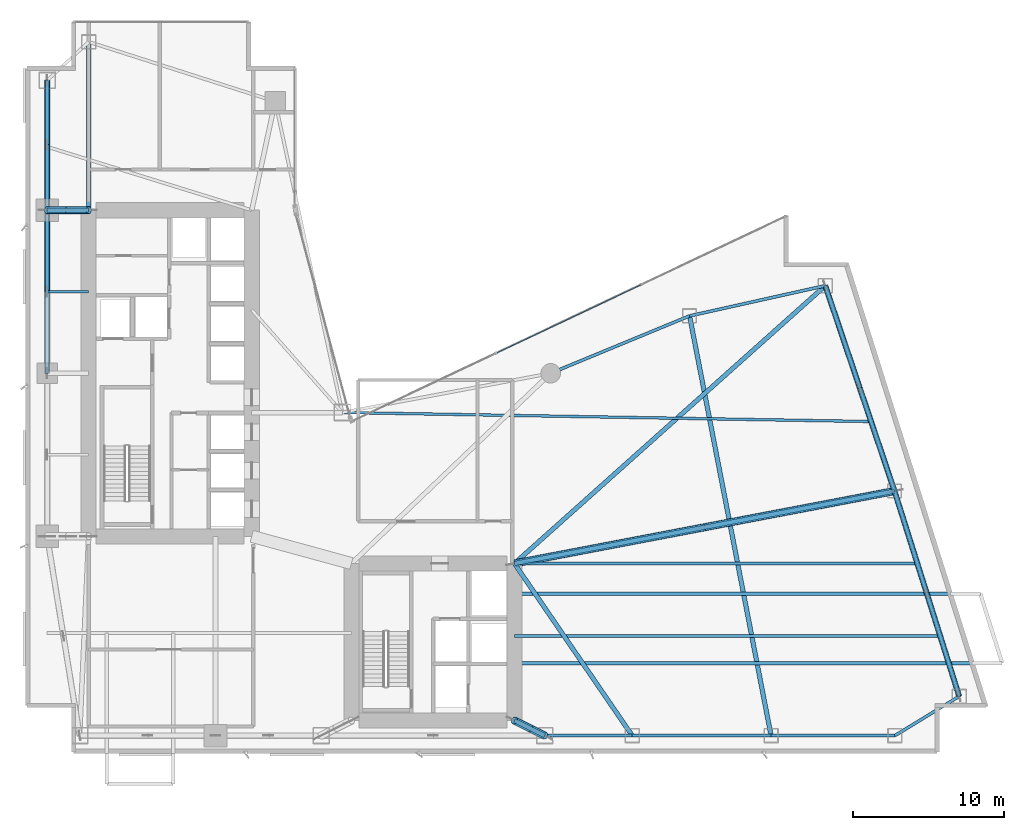
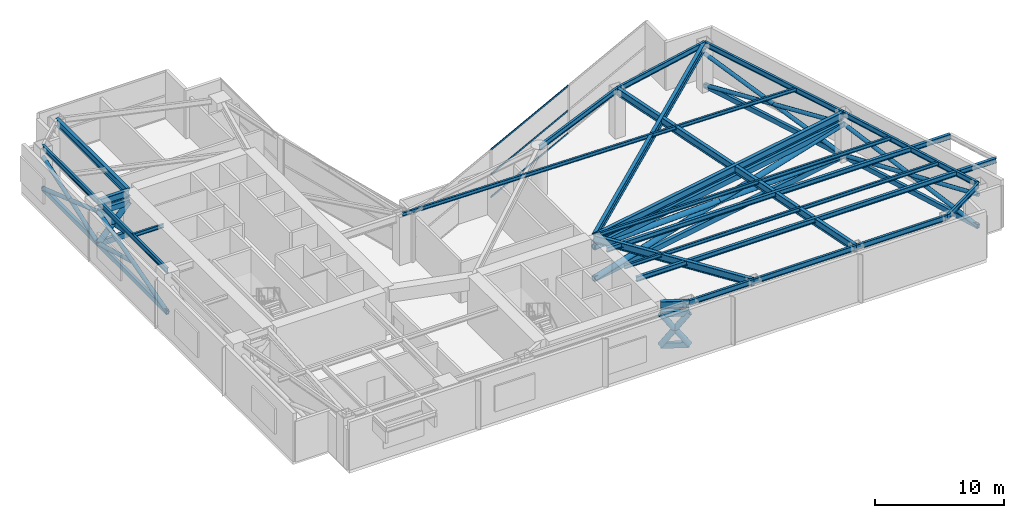
# One storey, part 4 of 18: 33 members, 23 beams, 1 element without a shape of its own.
"""IFC4 building model written with IfcOpenShell, lengths in metres."""

from ifc_helpers import new_model, si_unit, direction, frame, origin, origin_2d, place, context, subcontext, project, spatial, hollow_rectangle, hollow_circle, i_section, extrude, material, layer, layer_set, material_profile, profile_set, type_object, element, aggregate, save


model = new_model("IFC4")

# Units and contexts
model_context = context("Model", 3, precision=1e-05, world=origin(), true_north=direction((0.0, 1.0)))
body_context = subcontext(model_context, "Body", "Model", "MODEL_VIEW")
ifc_project = project(units=[si_unit("LENGTHUNIT", "METRE"), si_unit("AREAUNIT", "SQUARE_METRE"), si_unit("VOLUMEUNIT", "CUBIC_METRE"), si_unit("PLANEANGLEUNIT", "RADIAN"), si_unit("MASSUNIT", "GRAM", prefix="KILO")], contexts=[model_context])

# Site, building, storey
site_placement = place(None, origin())
site = spatial("IfcSite", under=ifc_project, at=site_placement, CompositionType="ELEMENT")
building_placement = place(site_placement, origin())
building = spatial("IfcBuilding", under=site, at=building_placement, Name="Calvorn Quay Hotel", CompositionType="ELEMENT")
storey_placement = place(building_placement, frame((0.0, 0.0, 46.0)))
storey = spatial("IfcBuildingStorey", under=building, at=storey_placement, Name="L10", CompositionType="ELEMENT", Elevation=46.0)

# Beams
ifc_material_1 = material(Name="Steel Q355B", Category="steel")
ifc_material_profile_1 = material_profile(ifc_material_1, i_section(OverallWidth=0.25, OverallDepth=0.449951171875, WebThickness=0.011962890625, FlangeThickness=0.01611328125, FilletRadius=0.01611328125, at=origin_2d()), Name="HN450x250x12x16")
ifc_profile_set_1 = profile_set([ifc_material_profile_1], Name="Steel Q355B")
beam_type_1 = type_object("IfcBeamType", Name="BM-CANT-BALC", PredefinedType="BEAM", material=ifc_profile_set_1)
beam_1_placement = place(storey_placement, frame((32.39990234375, 8.39990234375, 4.31494140625), z_axis=(1.0, 0.0, 0.0), x_axis=(0.0, 1.0, 0.0)))
element("IfcBeam", 1, at=beam_1_placement, inside=storey, type_object=beam_type_1, Name="Cantilever Balcony Beam BCB-L11-1A", PredefinedType="BEAM", context=body_context, shape_type="SweptSolid", body=[
    extrude(i_section(OverallWidth=0.25, OverallDepth=0.449951171875, WebThickness=0.011962890625, FlangeThickness=0.01611328125, FilletRadius=0.01611328125, at=origin_2d()), origin(), (0.0, 0.0, 1.0), 32.30810546875),
])
beam_2_placement = place(storey_placement, frame((32.39990234375, 13.0, 4.31494140625), z_axis=(1.0, 0.0, 0.0), x_axis=(0.0, 1.0, 0.0)))
element("IfcBeam", 2, at=beam_2_placement, inside=storey, type_object=beam_type_1, Name="Cantilever Balcony Beam BCB-L11-1B", PredefinedType="BEAM", context=body_context, shape_type="SweptSolid", body=[
    extrude(i_section(OverallWidth=0.25, OverallDepth=0.449951171875, WebThickness=0.011962890625, FlangeThickness=0.01611328125, FilletRadius=0.01611328125, at=origin_2d()), origin(), (0.0, 0.0, 1.0), 30.858154296875),
])
ifc_material_2 = material(Name="Steel Q390GJC", Category="steel")
ifc_material_profile_2 = material_profile(ifc_material_2, i_section(OverallWidth=0.300048828125, OverallDepth=0.699951171875, WebThickness=0.012939453125, FlangeThickness=0.02392578125, FilletRadius=0.02392578125, at=origin_2d()), Name="HN700x300x13x24")
ifc_profile_set_2 = profile_set([ifc_material_profile_2], Name="Steel Q390GJC")
beam_type_2 = type_object("IfcBeamType", Name="BM-GIRD-MAIN", PredefinedType="BEAM", material=ifc_profile_set_2)
beam_3_placement = place(storey_placement, frame((1.449951171875, 38.39990234375, 4.18994140625), z_axis=(1.0, 0.0, 0.0), x_axis=(0.0, 1.0, 0.0)))
element("IfcBeam", 3, at=beam_3_placement, inside=storey, type_object=beam_type_2, Name="Beam BG-L10-W3", PredefinedType="BEAM", context=body_context, shape_type="SweptSolid", body=[
    extrude(i_section(OverallWidth=0.300048828125, OverallDepth=0.699951171875, WebThickness=0.012939453125, FlangeThickness=0.02392578125, FilletRadius=0.02392578125, at=origin_2d()), origin(), (0.0, 0.0, 1.0), 2.75),
])
beam_4_placement = place(storey_placement, frame((4.199951171875, 49.550048828125, 4.18994140625), z_axis=(0.0, -1.0, 0.0), x_axis=(1.0, 0.0, 0.0)))
element("IfcBeam", 4, at=beam_4_placement, inside=storey, type_object=beam_type_2, Name="Beam BG-L10-W5", PredefinedType="BEAM", context=body_context, shape_type="SweptSolid", body=[
    extrude(i_section(OverallWidth=0.300048828125, OverallDepth=0.699951171875, WebThickness=0.012939453125, FlangeThickness=0.02392578125, FilletRadius=0.02392578125, at=origin_2d()), origin(), (0.0, 0.0, 1.0), 11.150146484375),
])
beam_5_placement = place(storey_placement, frame((34.39990234375, 3.60009765625, 4.18994140625), z_axis=(-0.894427191, 0.4472135955, 0.0), x_axis=(-0.4472135955, -0.894427191, 0.0)))
element("IfcBeam", 5, at=beam_5_placement, inside=storey, type_object=beam_type_2, Name="Beam BG-L10-S3", PredefinedType="BEAM", context=body_context, shape_type="SweptSolid", body=[
    extrude(i_section(OverallWidth=0.300048828125, OverallDepth=0.699951171875, WebThickness=0.012939453125, FlangeThickness=0.02392578125, FilletRadius=0.02392578125, at=origin_2d()), origin(), (0.0, 0.0, 1.0), 2.236083984375),
])
beam_6_placement = place(storey_placement, frame((32.39990234375, 15.0, 4.18994140625), z_axis=(0.982305450614, 0.18728588226, 0.0), x_axis=(-0.18728588226, 0.982305450614, 0.0)))
element("IfcBeam", 6, at=beam_6_placement, inside=storey, type_object=beam_type_2, Name="Beam BG-L10-E2", PredefinedType="BEAM", context=body_context, shape_type="SweptSolid", body=[
    extrude(i_section(OverallWidth=0.300048828125, OverallDepth=0.699951171875, WebThickness=0.012939453125, FlangeThickness=0.02392578125, FilletRadius=0.02392578125, at=origin_2d()), origin(), (0.0, 0.0, 1.0), 25.629638671875),
])
beam_7_placement = place(storey_placement, frame((32.39990234375, 15.0, 4.18994140625), z_axis=(0.745667316004, 0.666318432766, 0.0), x_axis=(-0.666318432766, 0.745667316004, 0.0)))
element("IfcBeam", 7, at=beam_7_placement, inside=storey, type_object=beam_type_2, Name="Beam BG-L10-E3", PredefinedType="BEAM", context=body_context, shape_type="SweptSolid", body=[
    extrude(i_section(OverallWidth=0.300048828125, OverallDepth=0.699951171875, WebThickness=0.012939453125, FlangeThickness=0.02392578125, FilletRadius=0.02392578125, at=origin_2d()), origin(), (0.0, 0.0, 1.0), 27.6142578125),
])
beam_8_placement = place(storey_placement, frame((49.39990234375, 3.60009765625, 4.18994140625), z_axis=(-0.190678596862, 0.981652521363, 0.0), x_axis=(-0.981652521363, -0.190678596862, 0.0)))
element("IfcBeam", 8, at=beam_8_placement, inside=storey, type_object=beam_type_2, Name="Beam BG-L10-E5", PredefinedType="BEAM", context=body_context, shape_type="SweptSolid", body=[
    extrude(i_section(OverallWidth=0.300048828125, OverallDepth=0.699951171875, WebThickness=0.012939453125, FlangeThickness=0.02392578125, FilletRadius=0.02392578125, at=origin_2d()), origin(), (0.0, 0.0, 1.0), 28.3193359375),
])
beam_9_placement = place(storey_placement, frame((40.199951171875, 3.60009765625, 4.18994140625), z_axis=(-0.564689618177, 0.825303359452, 0.0), x_axis=(-0.825303359452, -0.564689618177, 0.0)))
element("IfcBeam", 9, at=beam_9_placement, inside=storey, type_object=beam_type_2, Name="Beam BG-L10-E6", PredefinedType="BEAM", context=body_context, shape_type="SweptSolid", body=[
    extrude(i_section(OverallWidth=0.300048828125, OverallDepth=0.699951171875, WebThickness=0.012939453125, FlangeThickness=0.02392578125, FilletRadius=0.02392578125, at=origin_2d()), origin(), (0.0, 0.0, 1.0), 13.81298828125),
])
ifc_material_3 = material(Name="Steel Q355B", Category="steel")
ifc_material_profile_3 = material_profile(ifc_material_3, i_section(OverallWidth=0.175048828125, OverallDepth=0.35009765625, WebThickness=0.007080078125, FlangeThickness=0.010986328125, FilletRadius=0.013916015625, at=origin_2d()), Name="HN350x175x7x11")
ifc_profile_set_3 = profile_set([ifc_material_profile_3], Name="Steel Q355B")
beam_type_3 = type_object("IfcBeamType", Name="BM-JOIST-SEC", PredefinedType="JOIST", material=ifc_profile_set_3)
beam_10_placement = place(storey_placement, frame((1.449951171875, 33.0, 4.364990234375), z_axis=(1.0, 0.0, 0.0), x_axis=(0.0, 1.0, 0.0)))
element("IfcBeam", 10, at=beam_10_placement, inside=storey, type_object=beam_type_3, Name="Beam BJ-L10-W4", PredefinedType="JOIST", context=body_context, shape_type="SweptSolid", body=[
    extrude(i_section(OverallWidth=0.175048828125, OverallDepth=0.35009765625, WebThickness=0.007080078125, FlangeThickness=0.010986328125, FilletRadius=0.013916015625, at=origin_2d()), origin(), (0.0, 0.0, 1.0), 2.75),
])
beam_11_placement = place(storey_placement, frame((32.39990234375, 10.199951171875, 4.364990234375), z_axis=(1.0, 0.0, 0.0), x_axis=(0.0, 1.0, 0.0)))
element("IfcBeam", 11, at=beam_11_placement, inside=storey, type_object=beam_type_3, Name="Beam BJ-L10-E1", PredefinedType="JOIST", context=body_context, shape_type="SweptSolid", body=[
    extrude(i_section(OverallWidth=0.175048828125, OverallDepth=0.35009765625, WebThickness=0.007080078125, FlangeThickness=0.010986328125, FilletRadius=0.013916015625, at=origin_2d()), origin(), (0.0, 0.0, 1.0), 28.201171875),
])
beam_12_placement = place(storey_placement, frame((32.39990234375, 15.0, 4.364990234375), z_axis=(1.0, 0.0, 0.0), x_axis=(0.0, 1.0, 0.0)))
element("IfcBeam", 12, at=beam_12_placement, inside=storey, type_object=beam_type_3, Name="Beam BJ-L10-E2", PredefinedType="JOIST", context=body_context, shape_type="SweptSolid", body=[
    extrude(i_section(OverallWidth=0.175048828125, OverallDepth=0.35009765625, WebThickness=0.007080078125, FlangeThickness=0.010986328125, FilletRadius=0.013916015625, at=origin_2d()), origin(), (0.0, 0.0, 1.0), 26.68798828125),
])
beam_13_placement = place(storey_placement, frame((21.0, 25.0, 4.364990234375), z_axis=(0.999854105858, -0.017081188436, 0.0), x_axis=(0.017081188436, 0.999854105858, 0.0)))
element("IfcBeam", 13, at=beam_13_placement, inside=storey, type_object=beam_type_3, Name="Beam BJ-L10-E3", PredefinedType="JOIST", context=body_context, shape_type="SweptSolid", body=[
    extrude(i_section(OverallWidth=0.175048828125, OverallDepth=0.35009765625, WebThickness=0.007080078125, FlangeThickness=0.010986328125, FilletRadius=0.013916015625, at=origin_2d()), origin(), (0.0, 0.0, 1.0), 35.132080078125),
])
ifc_material_4 = material(Name="Steel Q355B", Category="steel")
ifc_material_profile_4 = material_profile(ifc_material_4, i_section(OverallWidth=0.199951171875, OverallDepth=0.5, WebThickness=0.010009765625, FlangeThickness=0.01611328125, FilletRadius=0.01611328125, at=origin_2d()), Name="HN500x200x10x16")
ifc_profile_set_4 = profile_set([ifc_material_profile_4], Name="Steel Q355B")
beam_type_4 = type_object("IfcBeamType", Name="BM-SPANDREL-Z1", PredefinedType="SPANDREL", material=ifc_profile_set_4)
beam_14_placement = place(storey_placement, frame((1.449951171875, 27.60009765625, 4.2900390625), z_axis=(0.0, 1.0, 0.0), x_axis=(-1.0, 0.0, 0.0)))
element("IfcBeam", 14, at=beam_14_placement, inside=storey, type_object=beam_type_4, Name="Beam BSP-L10-W3", PredefinedType="SPANDREL", context=body_context, shape_type="SweptSolid", body=[
    extrude(i_section(OverallWidth=0.199951171875, OverallDepth=0.5, WebThickness=0.010009765625, FlangeThickness=0.01611328125, FilletRadius=0.01611328125, at=origin_2d()), origin(), (0.0, 0.0, 1.0), 10.7998046875),
])
beam_15_placement = place(storey_placement, frame((1.449951171875, 38.39990234375, 4.2900390625), z_axis=(0.0, 1.0, 0.0), x_axis=(-1.0, 0.0, 0.0)))
element("IfcBeam", 15, at=beam_15_placement, inside=storey, type_object=beam_type_4, Name="Beam BSP-L10-W4", PredefinedType="SPANDREL", context=body_context, shape_type="SweptSolid", body=[
    extrude(i_section(OverallWidth=0.199951171875, OverallDepth=0.5, WebThickness=0.010009765625, FlangeThickness=0.01611328125, FilletRadius=0.01611328125, at=origin_2d()), origin(), (0.0, 0.0, 1.0), 8.60009765625),
])
beam_16_placement = place(storey_placement, frame((34.39990234375, 3.60009765625, 4.2900390625), z_axis=(1.0, 0.0, 0.0), x_axis=(0.0, 1.0, 0.0)))
element("IfcBeam", 16, at=beam_16_placement, inside=storey, type_object=beam_type_4, Name="Beam BSP-L10-S4", PredefinedType="SPANDREL", context=body_context, shape_type="SweptSolid", body=[
    extrude(i_section(OverallWidth=0.199951171875, OverallDepth=0.5, WebThickness=0.010009765625, FlangeThickness=0.01611328125, FilletRadius=0.01611328125, at=origin_2d()), origin(), (0.0, 0.0, 1.0), 5.800048828125),
])
beam_17_placement = place(storey_placement, frame((40.199951171875, 3.60009765625, 4.2900390625), z_axis=(1.0, 0.0, 0.0), x_axis=(0.0, 1.0, 0.0)))
element("IfcBeam", 17, at=beam_17_placement, inside=storey, type_object=beam_type_4, Name="Beam BSP-L10-S5", PredefinedType="SPANDREL", context=body_context, shape_type="SweptSolid", body=[
    extrude(i_section(OverallWidth=0.199951171875, OverallDepth=0.5, WebThickness=0.010009765625, FlangeThickness=0.01611328125, FilletRadius=0.01611328125, at=origin_2d()), origin(), (0.0, 0.0, 1.0), 9.199951171875),
])
beam_18_placement = place(storey_placement, frame((49.39990234375, 3.60009765625, 4.2900390625), z_axis=(1.0, 0.0, 0.0), x_axis=(0.0, 1.0, 0.0)))
element("IfcBeam", 18, at=beam_18_placement, inside=storey, type_object=beam_type_4, Name="Beam BSP-L10-S6", PredefinedType="SPANDREL", context=body_context, shape_type="SweptSolid", body=[
    extrude(i_section(OverallWidth=0.199951171875, OverallDepth=0.5, WebThickness=0.010009765625, FlangeThickness=0.01611328125, FilletRadius=0.01611328125, at=origin_2d()), origin(), (0.0, 0.0, 1.0), 8.2001953125),
])
beam_19_placement = place(storey_placement, frame((57.60009765625, 3.60009765625, 4.2900390625), z_axis=(0.853645546466, 0.520854376, 0.0), x_axis=(-0.520854376, 0.853645546466, 0.0)))
element("IfcBeam", 19, at=beam_19_placement, inside=storey, type_object=beam_type_4, Name="Beam BSP-L10-S7", PredefinedType="SPANDREL", context=body_context, shape_type="SweptSolid", body=[
    extrude(i_section(OverallWidth=0.199951171875, OverallDepth=0.5, WebThickness=0.010009765625, FlangeThickness=0.01611328125, FilletRadius=0.01611328125, at=origin_2d()), origin(), (0.0, 0.0, 1.0), 4.991455078125),
])
beam_20_placement = place(storey_placement, frame((61.861083984375, 6.199951171875, 4.2900390625), z_axis=(-0.300518378216, 0.953776024208, 0.0), x_axis=(-0.953776024208, -0.300518378216, 0.0)))
element("IfcBeam", 20, at=beam_20_placement, inside=storey, type_object=beam_type_4, Name="Beam BSP-L10-E1", PredefinedType="SPANDREL", context=body_context, shape_type="SweptSolid", body=[
    extrude(i_section(OverallWidth=0.199951171875, OverallDepth=0.5, WebThickness=0.010009765625, FlangeThickness=0.01611328125, FilletRadius=0.01611328125, at=origin_2d()), origin(), (0.0, 0.0, 1.0), 14.25927734375),
])
beam_21_placement = place(storey_placement, frame((57.575927734375, 19.800048828125, 4.2900390625), z_axis=(-0.319466515944, 0.947597564998, 0.0), x_axis=(-0.947597564998, -0.319466515944, 0.0)))
element("IfcBeam", 21, at=beam_21_placement, inside=storey, type_object=beam_type_4, Name="Beam BSP-L10-E2", PredefinedType="SPANDREL", context=body_context, shape_type="SweptSolid", body=[
    extrude(i_section(OverallWidth=0.199951171875, OverallDepth=0.5, WebThickness=0.010009765625, FlangeThickness=0.01611328125, FilletRadius=0.01611328125, at=origin_2d()), origin(), (0.0, 0.0, 1.0), 14.35205078125),
])
beam_22_placement = place(storey_placement, frame((52.990966796875, 33.39990234375, 4.2900390625), z_axis=(-0.976140886259, -0.217138136156, 0.0), x_axis=(0.217138136156, -0.976140886259, 0.0)))
element("IfcBeam", 22, at=beam_22_placement, inside=storey, type_object=beam_type_4, Name="Beam BSP-L10-E3", PredefinedType="SPANDREL", context=body_context, shape_type="SweptSolid", body=[
    extrude(i_section(OverallWidth=0.199951171875, OverallDepth=0.5, WebThickness=0.010009765625, FlangeThickness=0.01611328125, FilletRadius=0.01611328125, at=origin_2d()), origin(), (0.0, 0.0, 1.0), 9.210693359375),
])
beam_23_placement = place(storey_placement, frame((44.0, 31.39990234375, 4.2900390625), z_axis=(-0.92426763497, -0.381745123017, 0.0), x_axis=(0.381745123017, -0.92426763497, 0.0)))
element("IfcBeam", 23, at=beam_23_placement, inside=storey, type_object=beam_type_4, Name="Beam BSP-L10-E4", PredefinedType="SPANDREL", context=body_context, shape_type="SweptSolid", body=[
    extrude(i_section(OverallWidth=0.199951171875, OverallDepth=0.5, WebThickness=0.010009765625, FlangeThickness=0.01611328125, FilletRadius=0.01611328125, at=origin_2d()), origin(), (0.0, 0.0, 1.0), 9.953857421875),
])

# Curtain wall, members
ifc_material_5 = material(Name="Pale Anodised Aluminium and Low-E Glass", Category="aluminium")
ifc_layer = layer(ifc_material_5, 0.219970703125)
ifc_layer_set = layer_set([ifc_layer], Name="CW-SYS-Z1")
curtain_wall_type = type_object("IfcCurtainWallType", Name="CW-SYS-Z1", PredefinedType="NOTDEFINED", material=ifc_layer_set)
curtain_wall_placement = place(storey_placement, origin())
curtain_wall = element("IfcCurtainWall", 24, at=curtain_wall_placement, inside=storey, type_object=curtain_wall_type, Name="Inner Court Curtain Wall L10-NE1", PredefinedType="NOTDEFINED")
ifc_material_6 = material(Name="Pale Anodised Aluminium 6063-T6", Category="aluminium")
ifc_material_profile_5 = material_profile(ifc_material_6, hollow_rectangle(XDim=0.06494140625, YDim=0.1650390625, WallThickness=0.00341796875, at=origin_2d()), Name="ALU-T165x65x3.5")
ifc_profile_set_5 = profile_set([ifc_material_profile_5], Name="Pale Anodised Aluminium 6063-T6")
member_type_1 = type_object("IfcMemberType", Name="CW-SYS-Z1-TRN", PredefinedType="USERDEFINED", material=ifc_profile_set_5)
member_1_placement = place(storey_placement, frame((40.77294921875, 33.453857421875, 0.030029296875), z_axis=(-0.904247654564, -0.427008406493, 0.0), x_axis=(0.427008406493, -0.904247654564, 0.0)))
member_1 = element("IfcMember", 25, at=member_1_placement, type_object=member_type_1, Name="CW-L10-NE1 transom 2.1", ObjectType="TRANSOM", PredefinedType="USERDEFINED", context=body_context, shape_type="SweptSolid", body=[
    extrude(hollow_rectangle(XDim=0.06494140625, YDim=0.1650390625, WallThickness=0.00341796875, at=origin_2d()), origin(), (0.0, 0.0, 1.0), 10.556640625),
])
member_2_placement = place(storey_placement, frame((40.77294921875, 33.453857421875, 2.199951171875), z_axis=(-0.904247654564, -0.427008406493, 0.0), x_axis=(0.427008406493, -0.904247654564, 0.0)))
member_2 = element("IfcMember", 26, at=member_2_placement, type_object=member_type_1, Name="CW-L10-NE1 transom 2.2", ObjectType="TRANSOM", PredefinedType="USERDEFINED", context=body_context, shape_type="SweptSolid", body=[
    extrude(hollow_rectangle(XDim=0.06494140625, YDim=0.1650390625, WallThickness=0.00341796875, at=origin_2d()), origin(), (0.0, 0.0, 1.0), 10.556640625),
])
member_3_placement = place(storey_placement, frame((40.77294921875, 33.453857421875, 4.530029296875), z_axis=(-0.904247654564, -0.427008406493, 0.0), x_axis=(0.427008406493, -0.904247654564, 0.0)))
member_3 = element("IfcMember", 27, at=member_3_placement, type_object=member_type_1, Name="CW-L10-NE1 transom 2.3", ObjectType="TRANSOM", PredefinedType="USERDEFINED", context=body_context, shape_type="SweptSolid", body=[
    extrude(hollow_rectangle(XDim=0.06494140625, YDim=0.1650390625, WallThickness=0.00341796875, at=origin_2d()), origin(), (0.0, 0.0, 1.0), 10.556640625),
])
aggregate(curtain_wall, [member_1, member_2, member_3])

# Members
ifc_material_7 = material(Name="Steel Q390GJC", Category="steel")
ifc_material_profile_6 = material_profile(ifc_material_7, hollow_rectangle(XDim=0.25, YDim=0.449951171875, WallThickness=0.01611328125, at=origin_2d()), Name="RHS450x250x16")
ifc_profile_set_6 = profile_set([ifc_material_profile_6], Name="Steel Q390GJC")
member_type_2 = type_object("IfcMemberType", Name="MEM-BELT-CHORD", PredefinedType="CHORD", material=ifc_profile_set_6)
member_4_placement = place(storey_placement, frame((1.449951171875, 27.60009765625, 0.35009765625), z_axis=(0.0, 1.0, 0.0), x_axis=(-1.0, 0.0, 0.0)))
element("IfcMember", 28, at=member_4_placement, inside=storey, type_object=member_type_2, Name="Belt Truss Chord L10-BW3", PredefinedType="CHORD", context=body_context, shape_type="SweptSolid", body=[
    extrude(hollow_rectangle(XDim=0.25, YDim=0.449951171875, WallThickness=0.01611328125, at=origin_2d()), origin(), (0.0, 0.0, 1.0), 10.7998046875),
])
member_5_placement = place(storey_placement, frame((1.449951171875, 38.39990234375, 0.35009765625), z_axis=(0.0, 1.0, 0.0), x_axis=(-1.0, 0.0, 0.0)))
element("IfcMember", 29, at=member_5_placement, inside=storey, type_object=member_type_2, Name="Belt Truss Chord L10-BW4", PredefinedType="CHORD", context=body_context, shape_type="SweptSolid", body=[
    extrude(hollow_rectangle(XDim=0.25, YDim=0.449951171875, WallThickness=0.01611328125, at=origin_2d()), origin(), (0.0, 0.0, 1.0), 8.60009765625),
])
member_6_placement = place(storey_placement, frame((61.861083984375, 6.199951171875, 0.35009765625), z_axis=(-0.300518378216, 0.953776024208, 0.0), x_axis=(-0.953776024208, -0.300518378216, 0.0)))
element("IfcMember", 30, at=member_6_placement, inside=storey, type_object=member_type_2, Name="Belt Truss Chord L10-BE1", PredefinedType="CHORD", context=body_context, shape_type="SweptSolid", body=[
    extrude(hollow_rectangle(XDim=0.25, YDim=0.449951171875, WallThickness=0.01611328125, at=origin_2d()), origin(), (0.0, 0.0, 1.0), 14.25927734375),
])
member_7_placement = place(storey_placement, frame((57.575927734375, 19.800048828125, 0.35009765625), z_axis=(-0.319466515944, 0.947597564998, 0.0), x_axis=(-0.947597564998, -0.319466515944, 0.0)))
element("IfcMember", 31, at=member_7_placement, inside=storey, type_object=member_type_2, Name="Belt Truss Chord L10-BE2", PredefinedType="CHORD", context=body_context, shape_type="SweptSolid", body=[
    extrude(hollow_rectangle(XDim=0.25, YDim=0.449951171875, WallThickness=0.01611328125, at=origin_2d()), origin(), (0.0, 0.0, 1.0), 14.35205078125),
])
ifc_material_8 = material(Name="Steel Q390GJC", Category="steel")
ifc_material_profile_7 = material_profile(ifc_material_8, hollow_circle(Radius=0.177978515625, WallThickness=0.013916015625, at=origin_2d()), Name="CHS356x14")
ifc_profile_set_7 = profile_set([ifc_material_profile_7], Name="Steel Q390GJC")
member_type_3 = type_object("IfcMemberType", Name="MEM-BELT-DIAG", PredefinedType="BRACE", material=ifc_profile_set_7)
member_8_placement = place(storey_placement, frame((1.449951171875, 27.60009765625, 0.35009765625), z_axis=(0.0, 0.963746657996, 0.266819000825), x_axis=(-1.0, 0.0, 0.0)))
element("IfcMember", 32, at=member_8_placement, inside=storey, type_object=member_type_3, Name="Belt Truss Continuous Brace L10-BW3A", PredefinedType="BRACE", context=body_context, shape_type="SweptSolid", body=[
    extrude(hollow_circle(Radius=0.177978515625, WallThickness=0.013916015625, at=origin_2d()), origin(), (0.0, 0.0, 1.0), 11.2060546875),
])
member_9_placement = place(storey_placement, frame((1.449951171875, 33.0, 1.844970703125), z_axis=(0.0, 0.96375226012, -0.266798765201), x_axis=(-1.0, 0.0, 0.0)))
element("IfcMember", 33, at=member_9_placement, inside=storey, type_object=member_type_3, Name="Belt Truss Split Brace B2 L10-BW3", PredefinedType="BRACE", context=body_context, shape_type="SweptSolid", body=[
    extrude(hollow_circle(Radius=0.177978515625, WallThickness=0.013916015625, at=origin_2d()), origin(), (0.0, 0.0, 1.0), 5.60302734375),
])
member_10_placement = place(storey_placement, frame((1.449951171875, 38.39990234375, 0.35009765625), z_axis=(0.0, 0.944542728138, 0.328388542313), x_axis=(-1.0, 0.0, 0.0)))
element("IfcMember", 34, at=member_10_placement, inside=storey, type_object=member_type_3, Name="Belt Truss Continuous Brace L10-BW4A", PredefinedType="BRACE", context=body_context, shape_type="SweptSolid", body=[
    extrude(hollow_circle(Radius=0.177978515625, WallThickness=0.013916015625, at=origin_2d()), origin(), (0.0, 0.0, 1.0), 9.10498046875),
])
for number, where, z_axis, x_axis, name in (
    (35, (1.449951171875, 38.39990234375, 3.340087890625), (0.0, 0.944534410885, -0.328412464217), (-1.0, 0.0, 0.0), "Belt Truss Split Brace B1 L10-BW4"),
    (36, (1.449951171875, 42.699951171875, 1.844970703125), (0.0, 0.944551044931, -0.328364619776), (-1.0, 0.0, 0.0), "Belt Truss Split Brace B2 L10-BW4"),
):
    element("IfcMember", number, at=place(storey_placement, frame(where, z_axis=z_axis, x_axis=x_axis)), inside=storey, type_object=member_type_3, Name=name, PredefinedType="BRACE", context=body_context, shape_type="SweptSolid", body=[
        extrude(hollow_circle(Radius=0.177978515625, WallThickness=0.013916015625, at=origin_2d()), origin(), (0.0, 0.0, 1.0), 4.552490234375),
    ])
member_11_placement = place(storey_placement, frame((61.861083984375, 6.199951171875, 0.35009765625), z_axis=(-0.29412178925, 0.933474726069, 0.205225020109), x_axis=(-0.953776024208, -0.300518378216, 0.0)))
element("IfcMember", 37, at=member_11_placement, inside=storey, type_object=member_type_3, Name="Belt Truss Continuous Brace L10-BE1A", PredefinedType="BRACE", context=body_context, shape_type="SweptSolid", body=[
    extrude(hollow_circle(Radius=0.177978515625, WallThickness=0.013916015625, at=origin_2d()), origin(), (0.0, 0.0, 1.0), 14.5693359375),
])
member_12_placement = place(storey_placement, frame((61.861083984375, 6.199951171875, 3.340087890625), z_axis=(-0.294182005926, 0.933453111309, -0.205237024868), x_axis=(-0.953756392507, -0.300580677608, 0.0)))
element("IfcMember", 38, at=member_12_placement, inside=storey, type_object=member_type_3, Name="Belt Truss Split Brace B1 L10-BE1", PredefinedType="BRACE", context=body_context, shape_type="SweptSolid", body=[
    extrude(hollow_circle(Radius=0.177978515625, WallThickness=0.013916015625, at=origin_2d()), origin(), (0.0, 0.0, 1.0), 7.284912109375),
])
member_13_placement = place(storey_placement, frame((59.718017578125, 13.0, 1.844970703125), z_axis=(-0.294061568539, 0.933496337874, -0.205213013923), x_axis=(-0.953795652648, -0.300456074977, 0.0)))
element("IfcMember", 39, at=member_13_placement, inside=storey, type_object=member_type_3, Name="Belt Truss Split Brace B2 L10-BE1", PredefinedType="BRACE", context=body_context, shape_type="SweptSolid", body=[
    extrude(hollow_circle(Radius=0.177978515625, WallThickness=0.013916015625, at=origin_2d()), origin(), (0.0, 0.0, 1.0), 7.284423828125),
])
member_14_placement = place(storey_placement, frame((57.575927734375, 19.800048828125, 0.35009765625), z_axis=(-0.312751442521, 0.927679398596, 0.203954574896), x_axis=(-0.947597564998, -0.319466515944, 0.0)))
element("IfcMember", 40, at=member_14_placement, inside=storey, type_object=member_type_3, Name="Belt Truss Continuous Brace L10-BE2A", PredefinedType="BRACE", context=body_context, shape_type="SweptSolid", body=[
    extrude(hollow_circle(Radius=0.177978515625, WallThickness=0.013916015625, at=origin_2d()), origin(), (0.0, 0.0, 1.0), 14.66015625),
])
for number, where, z_axis, x_axis, name in (
    (41, (57.575927734375, 19.800048828125, 3.340087890625), (-0.312685449618, 0.927697893931, -0.203971633305), (-0.947619897594, -0.319400265631, 0.0), "Belt Truss Split Brace B1 L10-BE2"),
    (42, (55.283935546875, 26.60009765625, 1.844970703125), (-0.312817433601, 0.927660898708, -0.203937515539), (-0.947575228022, -0.319532763952, 0.0), "Belt Truss Split Brace B2 L10-BE2"),
):
    element("IfcMember", number, at=place(storey_placement, frame(where, z_axis=z_axis, x_axis=x_axis)), inside=storey, type_object=member_type_3, Name=name, PredefinedType="BRACE", context=body_context, shape_type="SweptSolid", body=[
        extrude(hollow_circle(Radius=0.177978515625, WallThickness=0.013916015625, at=origin_2d()), origin(), (0.0, 0.0, 1.0), 7.330078125),
    ])
ifc_material_9 = material(Name="Steel Q390GJC", Category="steel")
ifc_material_profile_8 = material_profile(ifc_material_9, hollow_rectangle(XDim=0.300048828125, YDim=0.5, WallThickness=0.02001953125, at=origin_2d()), Name="RHS500x300x20")
ifc_profile_set_8 = profile_set([ifc_material_profile_8], Name="Steel Q390GJC")
member_type_4 = type_object("IfcMemberType", Name="MEM-OUTRIGGER-CHORD", PredefinedType="CHORD", material=ifc_profile_set_8)
for number, where, z_axis, x_axis, name in (
    (43, (4.199951171875, 38.39990234375, 3.340087890625), (-1.0, 0.0, 0.0), (0.0, -1.0, 0.0), "Outrigger Top Chord L10-OW2"),
    (44, (4.199951171875, 38.39990234375, 0.35009765625), (-1.0, 0.0, 0.0), (0.0, -1.0, 0.0), "Outrigger Bottom Chord L10-OW2"),
):
    element("IfcMember", number, at=place(storey_placement, frame(where, z_axis=z_axis, x_axis=x_axis)), inside=storey, type_object=member_type_4, Name=name, PredefinedType="CHORD", context=body_context, shape_type="SweptSolid", body=[
        extrude(hollow_rectangle(XDim=0.300048828125, YDim=0.5, WallThickness=0.02001953125, at=origin_2d()), origin(), (0.0, 0.0, 1.0), 2.75),
    ])
for number, where, z_axis, x_axis, name in (
    (45, (32.39990234375, 4.60009765625, 3.340087890625), (0.894427191, -0.4472135955, 0.0), (0.4472135955, 0.894427191, 0.0), "Outrigger Top Chord L10-OE2"),
    (46, (32.39990234375, 4.60009765625, 0.35009765625), (0.894427191, -0.4472135955, 0.0), (0.4472135955, 0.894427191, 0.0), "Outrigger Bottom Chord L10-OE2"),
):
    element("IfcMember", number, at=place(storey_placement, frame(where, z_axis=z_axis, x_axis=x_axis)), inside=storey, type_object=member_type_4, Name=name, PredefinedType="CHORD", context=body_context, shape_type="SweptSolid", body=[
        extrude(hollow_rectangle(XDim=0.300048828125, YDim=0.5, WallThickness=0.02001953125, at=origin_2d()), origin(), (0.0, 0.0, 1.0), 2.236083984375),
    ])
for number, where, z_axis, x_axis, name in (
    (47, (32.39990234375, 15.0, 3.340087890625), (0.982305450614, 0.18728588226, 0.0), (-0.18728588226, 0.982305450614, 0.0), "Outrigger Top Chord L10-OE3"),
    (48, (32.39990234375, 15.0, 0.35009765625), (0.982305450614, 0.18728588226, 0.0), (-0.18728588226, 0.982305450614, 0.0), "Outrigger Bottom Chord L10-OE3"),
):
    element("IfcMember", number, at=place(storey_placement, frame(where, z_axis=z_axis, x_axis=x_axis)), inside=storey, type_object=member_type_4, Name=name, PredefinedType="CHORD", context=body_context, shape_type="SweptSolid", body=[
        extrude(hollow_rectangle(XDim=0.300048828125, YDim=0.5, WallThickness=0.02001953125, at=origin_2d()), origin(), (0.0, 0.0, 1.0), 25.629638671875),
    ])
ifc_material_10 = material(Name="Steel Q390GJC", Category="steel")
ifc_material_profile_9 = material_profile(ifc_material_10, hollow_circle(Radius=0.25, WallThickness=0.02001953125, at=origin_2d()), Name="CHS500x20")
ifc_profile_set_9 = profile_set([ifc_material_profile_9], Name="Steel Q390GJC")
member_type_5 = type_object("IfcMemberType", Name="MEM-OUTRIGGER-DIAG1", PredefinedType="BRACE", material=ifc_profile_set_9)
member_15_placement = place(storey_placement, frame((4.199951171875, 38.39990234375, 0.35009765625), z_axis=(-0.67695106482, 0.0, 0.736028026531), x_axis=(0.0, -1.0, 0.0)))
element("IfcMember", 49, at=member_15_placement, inside=storey, type_object=member_type_5, Name="Outrigger Continuous Diagonal L10-OW2", PredefinedType="BRACE", context=body_context, shape_type="SweptSolid", body=[
    extrude(hollow_circle(Radius=0.25, WallThickness=0.02001953125, at=origin_2d()), origin(), (0.0, 0.0, 1.0), 4.062255859375),
])
member_16_placement = place(storey_placement, frame((4.199951171875, 38.39990234375, 3.340087890625), z_axis=(-0.67692112114, 0.0, -0.736055565671), x_axis=(0.0, -1.0, 0.0)))
element("IfcMember", 50, at=member_16_placement, inside=storey, type_object=member_type_5, Name="Outrigger Split Diagonal A L10-OW2", PredefinedType="BRACE", context=body_context, shape_type="SweptSolid", body=[
    extrude(hollow_circle(Radius=0.25, WallThickness=0.02001953125, at=origin_2d()), origin(), (0.0, 0.0, 1.0), 2.03125),
])
member_17_placement = place(storey_placement, frame((2.824951171875, 38.39990234375, 1.844970703125), z_axis=(-0.676981010029, 0.0, -0.736000483737), x_axis=(0.0, -1.0, 0.0)))
element("IfcMember", 51, at=member_17_placement, inside=storey, type_object=member_type_5, Name="Outrigger Split Diagonal B L10-OW2", PredefinedType="BRACE", context=body_context, shape_type="SweptSolid", body=[
    extrude(hollow_circle(Radius=0.25, WallThickness=0.02001953125, at=origin_2d()), origin(), (0.0, 0.0, 1.0), 2.031005859375),
])
member_18_placement = place(storey_placement, frame((32.39990234375, 4.60009765625, 0.35009765625), z_axis=(0.535670784695, -0.267835392348, 0.800825207539), x_axis=(0.4472135955, 0.894427191, 0.0)))
element("IfcMember", 52, at=member_18_placement, inside=storey, type_object=member_type_5, Name="Outrigger Continuous Diagonal L10-OE2", PredefinedType="BRACE", context=body_context, shape_type="SweptSolid", body=[
    extrude(hollow_circle(Radius=0.25, WallThickness=0.02001953125, at=origin_2d()), origin(), (0.0, 0.0, 1.0), 3.733642578125),
])
member_19_placement = place(storey_placement, frame((32.39990234375, 4.60009765625, 3.340087890625), z_axis=(0.535642735053, -0.267821367526, -0.800848659537), x_axis=(0.4472135955, 0.894427191, 0.0)))
element("IfcMember", 53, at=member_19_placement, inside=storey, type_object=member_type_5, Name="Outrigger Split Diagonal A L10-OE2", PredefinedType="BRACE", context=body_context, shape_type="SweptSolid", body=[
    extrude(hollow_circle(Radius=0.25, WallThickness=0.02001953125, at=origin_2d()), origin(), (0.0, 0.0, 1.0), 1.866943359375),
])
member_20_placement = place(storey_placement, frame((33.39990234375, 4.10009765625, 1.844970703125), z_axis=(0.535698836454, -0.267849418227, -0.800801751857), x_axis=(0.4472135955, 0.894427191, 0.0)))
element("IfcMember", 54, at=member_20_placement, inside=storey, type_object=member_type_5, Name="Outrigger Split Diagonal B L10-OE2", PredefinedType="BRACE", context=body_context, shape_type="SweptSolid", body=[
    extrude(hollow_circle(Radius=0.25, WallThickness=0.02001953125, at=origin_2d()), origin(), (0.0, 0.0, 1.0), 1.86669921875),
])
member_21_placement = place(storey_placement, frame((32.39990234375, 15.0, 0.35009765625), z_axis=(0.975688327377, 0.186024264743, 0.115876057693), x_axis=(-0.18728588226, 0.982305450614, 0.0)))
element("IfcMember", 55, at=member_21_placement, inside=storey, type_object=member_type_5, Name="Outrigger Continuous Diagonal L10-OE3", PredefinedType="BRACE", context=body_context, shape_type="SweptSolid", body=[
    extrude(hollow_circle(Radius=0.25, WallThickness=0.02001953125, at=origin_2d()), origin(), (0.0, 0.0, 1.0), 25.803466796875),
])
member_22_placement = place(storey_placement, frame((32.39990234375, 15.0, 3.340087890625), z_axis=(0.975689429312, 0.186013209405, -0.115884526388), x_axis=(-0.187274938229, 0.982307537135, 0.0)))
element("IfcMember", 56, at=member_22_placement, inside=storey, type_object=member_type_5, Name="Outrigger Split Diagonal A L10-OE3", PredefinedType="BRACE", context=body_context, shape_type="SweptSolid", body=[
    extrude(hollow_circle(Radius=0.25, WallThickness=0.02001953125, at=origin_2d()), origin(), (0.0, 0.0, 1.0), 12.90185546875),
])
member_23_placement = place(storey_placement, frame((44.988037109375, 17.39990234375, 1.844970703125), z_axis=(0.975687225234, 0.186035320234, -0.115867588831), x_axis=(-0.187296826433, 0.98230336394, 0.0)))
element("IfcMember", 57, at=member_23_placement, inside=storey, type_object=member_type_5, Name="Outrigger Split Diagonal B L10-OE3", PredefinedType="BRACE", context=body_context, shape_type="SweptSolid", body=[
    extrude(hollow_circle(Radius=0.25, WallThickness=0.02001953125, at=origin_2d()), origin(), (0.0, 0.0, 1.0), 12.901611328125),
])

save(model, "model.ifc")
